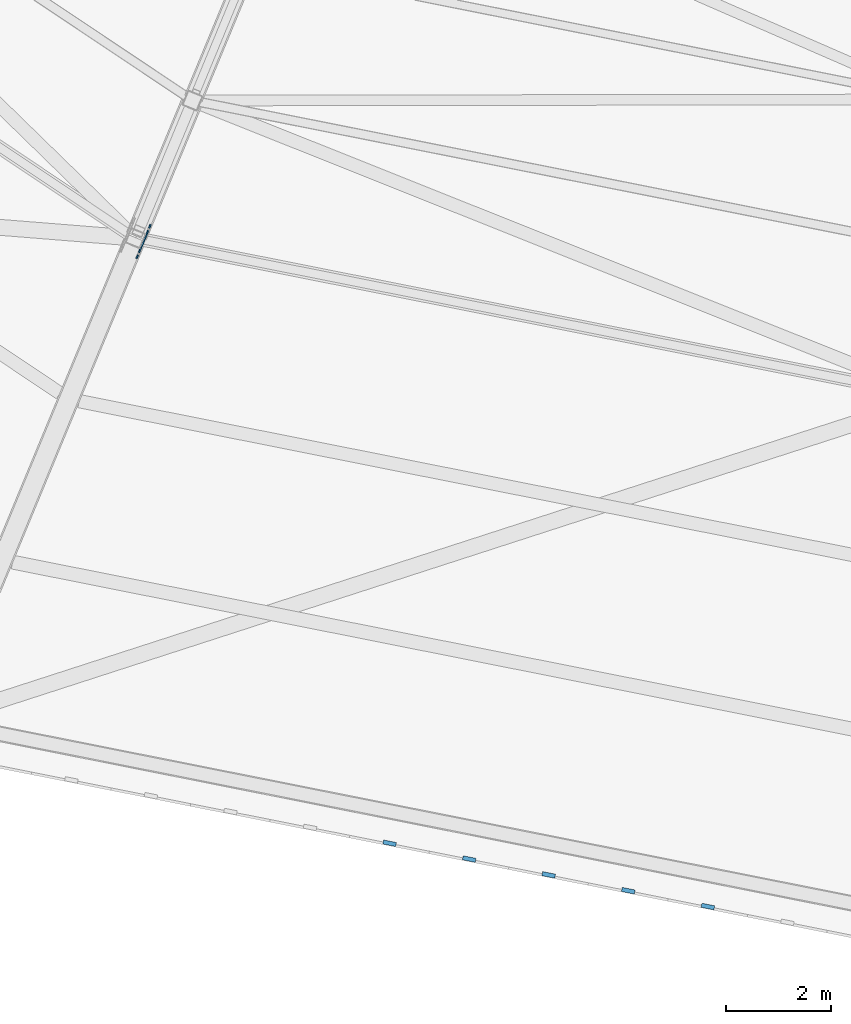
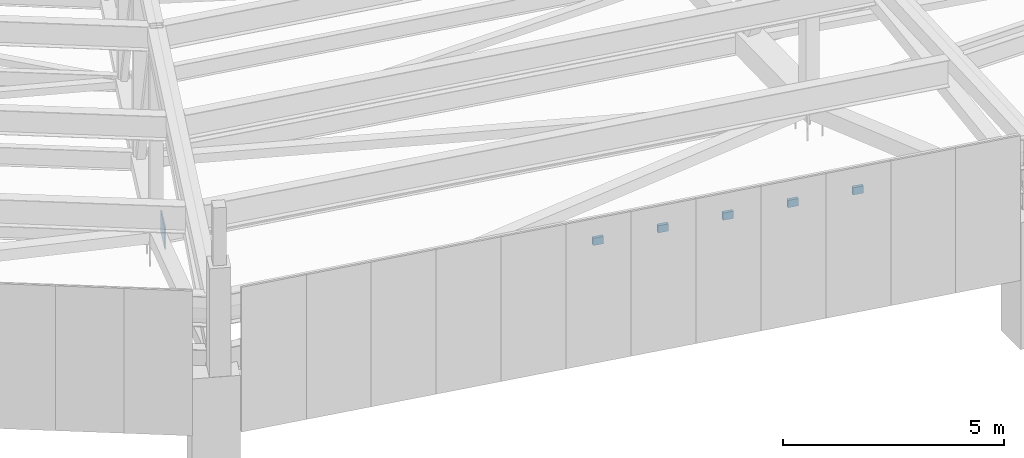
# One storey, part 117 of 278: 6 discrete accessories.
"""IFC4 building model written with IfcOpenShell, lengths in metres."""

from ifc_helpers import new_model, si_unit, direction, frame, origin, origin_2d, place, context, subcontext, project, spatial, rectangle, extrude, material, layer, layer_set, type_object, element, save


model = new_model("IFC4")

# Units and contexts
model_context = context("Model", 3, precision=1e-05, world=origin(), true_north=direction((0.0, 1.0)))
body_context = subcontext(model_context, "Body", "Model", "MODEL_VIEW")
ifc_project = project(units=[si_unit("LENGTHUNIT", "METRE"), si_unit("AREAUNIT", "SQUARE_METRE"), si_unit("VOLUMEUNIT", "CUBIC_METRE"), si_unit("PLANEANGLEUNIT", "RADIAN"), si_unit("MASSUNIT", "GRAM", prefix="KILO")], contexts=[model_context])

# Site, building, storey
site_placement = place(None, origin())
site = spatial("IfcSite", under=ifc_project, at=site_placement, CompositionType="ELEMENT")
building_placement = place(site_placement, origin())
building = spatial("IfcBuilding", under=site, at=building_placement, Name="Ogive Plaza Stadium", CompositionType="ELEMENT")
storey_placement = place(building_placement, frame((0.0, 0.0, 29.0)))
storey = spatial("IfcBuildingStorey", under=building, at=storey_placement, Name="Roof", CompositionType="ELEMENT", Elevation=29.0)

# Discrete accessories
ifc_material_1 = material(Name="Steel ASTM A572 Grade 50", Category="steel")
ifc_layer_1 = layer(ifc_material_1, 0.080078125)
ifc_layer_set_1 = layer_set([ifc_layer_1], Name="Steel ASTM A572 Grade 50")
discrete_accessory_type_1 = type_object("IfcDiscreteAccessoryType", Name="Tracery screen bracket 250x200", PredefinedType="BRACKET", material=ifc_layer_set_1)
for number, where, z_axis, x_axis, name in (
    (1, (-38.355712890625, -102.244873046875, 5.25), (0.0, 0.0, 1.0), (-0.980785280403, 0.195090322016, 0.0), "TRACERY SCREEN BRACKET B17 3"),
    (2, (-39.878173828125, -101.94189453125, 5.25), (0.0, 0.0, 1.0), (-0.980785280403, 0.195090322016, 0.0), "TRACERY SCREEN BRACKET B17 4"),
    (3, (-41.400390625, -101.63916015625, 5.25), (0.0, 0.0, 1.0), (-0.980785280403, 0.195090322016, 0.0), "TRACERY SCREEN BRACKET B17 5"),
    (4, (-42.9228515625, -101.336181640625, 5.25), (0.0, 0.0, 1.0), (-0.980785280403, 0.195090322016, 0.0), "TRACERY SCREEN BRACKET B17 6"),
    (5, (-44.4453125, -101.033447265625, 5.25), (0.0, 0.0, 1.0), (-0.980785280403, 0.195090322016, 0.0), "TRACERY SCREEN BRACKET B17 7"),
):
    element("IfcDiscreteAccessory", number, at=place(storey_placement, frame(where, z_axis=z_axis, x_axis=x_axis)), inside=storey, type_object=discrete_accessory_type_1, Name=name, PredefinedType="BRACKET", context=body_context, shape_type="SweptSolid", body=[
        extrude(rectangle(XDim=0.25, YDim=0.080078125, at=origin_2d()), origin(), (0.0, 0.0, 1.0), 0.199951171875),
    ])
ifc_material_2 = material(Name="Steel ASTM A992 Grade 50", Category="steel")
ifc_layer_2 = layer(ifc_material_2, 0.030029296875)
ifc_layer_set_2 = layer_set([ifc_layer_2], Name="Steel ASTM A992 Grade 50")
discrete_accessory_type_2 = type_object("IfcDiscreteAccessoryType", Name="Truss root foot cleat plate 30", PredefinedType="ANCHORPLATE", material=ifc_layer_set_2)
discrete_accessory_placement = place(storey_placement, frame((-49.153564453125, -89.518798828125, 0.0), z_axis=(0.0, 0.0, 1.0), x_axis=(-0.382683432365, -0.923879532511, 0.0)))
element("IfcDiscreteAccessory", 6, at=discrete_accessory_placement, inside=storey, type_object=discrete_accessory_type_2, Name="TRUSS ROOT FOOT CLEAT PLATE 18 1", PredefinedType="ANCHORPLATE", context=body_context, shape_type="SweptSolid", body=[
    extrude(rectangle(XDim=0.704833984375, YDim=0.030029296875, at=origin_2d()), origin(), (0.0, 0.0, 1.0), 0.60009765625),
])

save(model, "model.ifc")
